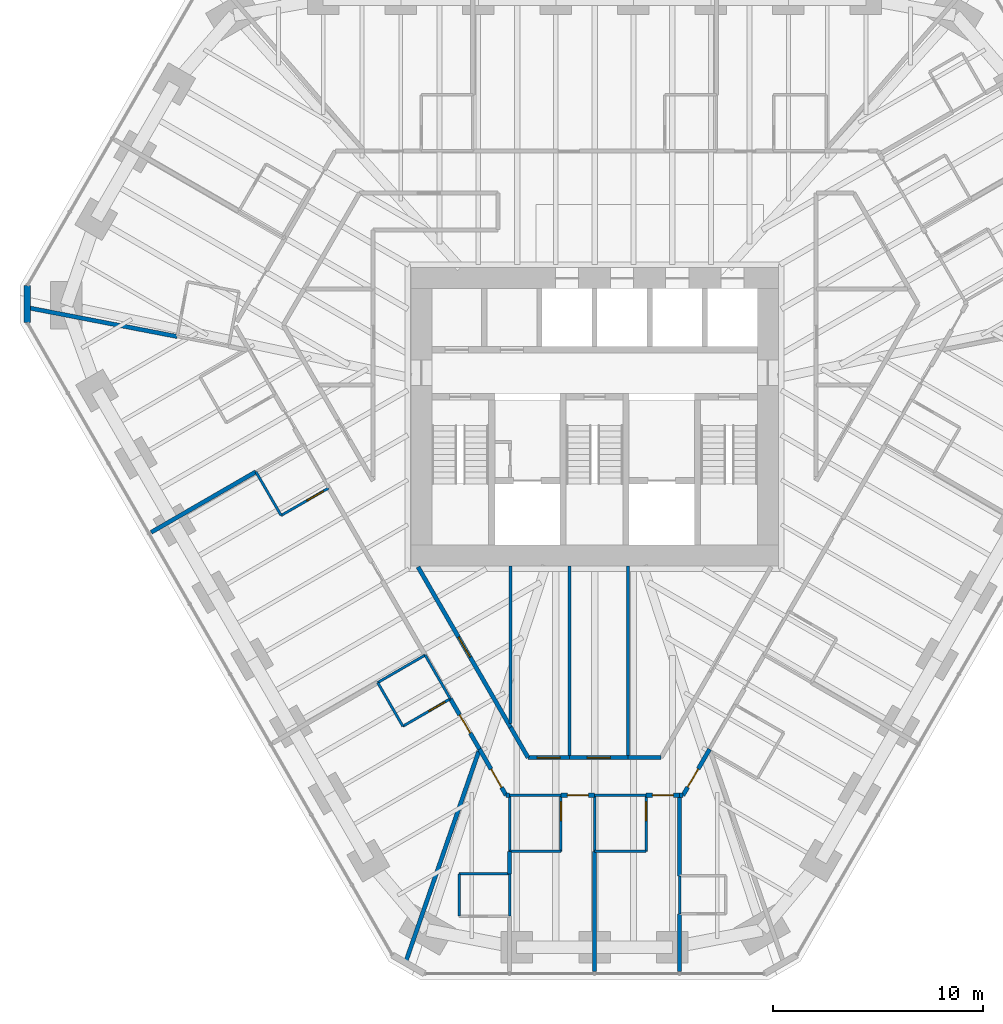
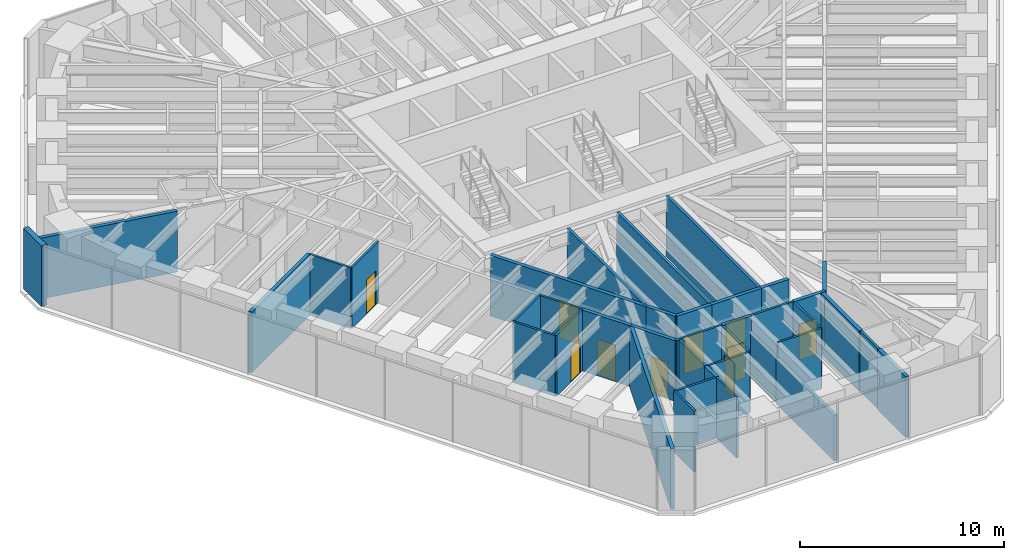
# One storey, part 11 of 17: 41 walls, 12 doors, 12 openings.
"""IFC4 building model written with IfcOpenShell, lengths in metres."""

from ifc_helpers import new_model, si_unit, direction, frame, frame_2d, origin, place, context, subcontext, project, spatial, rectangle, extrude, material, layer, layer_set, type_object, element, fill, save


model = new_model("IFC4")

# Units and contexts
model_context = context("Model", 3, precision=1e-05, world=origin(), true_north=direction((0.0, 1.0)))
body_context = subcontext(model_context, "Body", "Model", "MODEL_VIEW")
ifc_project = project(units=[si_unit("LENGTHUNIT", "METRE"), si_unit("AREAUNIT", "SQUARE_METRE"), si_unit("VOLUMEUNIT", "CUBIC_METRE"), si_unit("PLANEANGLEUNIT", "RADIAN"), si_unit("MASSUNIT", "GRAM", prefix="KILO")], contexts=[model_context])

# Site, building, storey
site_placement = place(None, origin())
site = spatial("IfcSite", under=ifc_project, at=site_placement, CompositionType="ELEMENT")
building_placement = place(site_placement, origin())
building = spatial("IfcBuilding", under=site, at=building_placement, Name="Sandreach Pilgrim Tower", CompositionType="ELEMENT")
storey_placement = place(building_placement, frame((0.0, 0.0, 217.39990234375)))
storey = spatial("IfcBuildingStorey", under=building, at=storey_placement, Name="L54", CompositionType="ELEMENT", Elevation=217.39990234375)

# Walls
ifc_material_1 = material(Name="Gypsum board on steel studs", Category="steel")
ifc_layer_1 = layer(ifc_material_1, 0.14990234375)
ifc_layer_set_1 = layer_set([ifc_layer_1], Name="Back of house wall 150")
wall_type_1 = type_object("IfcWallType", Name="Back of house wall 150", PredefinedType="PARTITIONING", material=ifc_layer_set_1)
wall_1_placement = place(storey_placement, frame((-4.0, -7.10009765625, 0.0), z_axis=(0.0, 0.0, 1.0), x_axis=(0.0, -1.0, 0.0)))
element("IfcWall", 1, at=wall_1_placement, inside=storey, type_object=wall_type_1, Name="Back of house wall L54-066", PredefinedType="PARTITIONING", context=body_context, shape_type="SweptSolid", body=[
    extrude(rectangle(XDim=7.514892578125, YDim=0.14990234375, at=frame_2d((3.75732421875, 0.0))), origin(), (0.0, 0.0, 1.0), 3.64013671875),
])
for number, where, z_axis, x_axis, name in (
    (2, (-1.199951171875, -7.10009765625, 0.0), (0.0, 0.0, 1.0), (0.0, -1.0, 0.0), "Back of house wall L54-071"),
    (3, (1.60009765625, -7.10009765625, 0.0), (0.0, 0.0, 1.0), (0.0, -1.0, 0.0), "Back of house wall L54-077"),
):
    element("IfcWall", number, at=place(storey_placement, frame(where, z_axis=z_axis, x_axis=x_axis)), inside=storey, type_object=wall_type_1, Name=name, PredefinedType="PARTITIONING", context=body_context, shape_type="SweptSolid", body=[
        extrude(rectangle(XDim=9.1298828125, YDim=0.14990234375, at=frame_2d((4.56494140625, 0.0))), origin(), (0.0, 0.0, 1.0), 3.64013671875),
    ])
ifc_material_2 = material(Name="Moisture-resistant gypsum board on steel studs", Category="steel")
ifc_layer_2 = layer(ifc_material_2, 0.1201171875)
ifc_layer_set_2 = layer_set([ifc_layer_2], Name="Bathroom partition 120")
wall_type_2 = type_object("IfcWallType", Name="Bathroom partition 120", PredefinedType="PARTITIONING", material=ifc_layer_set_2)
wall_2_placement = place(storey_placement, frame((-16.1298828125, -2.6201171875, 0.0), z_axis=(0.0, 0.0, 1.0), x_axis=(0.499737123639, -0.866177122335, 0.0)))
element("IfcWall", 4, at=wall_2_placement, inside=storey, type_object=wall_type_2, Name="Bathroom partition L54-015", PredefinedType="PARTITIONING", context=body_context, shape_type="SweptSolid", body=[
    extrude(rectangle(XDim=2.401123046875, YDim=0.1201171875, at=frame_2d((1.20068359375, 0.0))), origin(), (0.0, 0.0, 1.0), 3.64013671875),
])

# Wall, opening, door
wall_3_placement = place(storey_placement, frame((-14.929931640625, -4.699951171875, 0.0), z_axis=(0.0, 0.0, 1.0), x_axis=(0.866114241029, 0.499846097802, 0.0)))
wall_3 = element("IfcWall", 5, at=wall_3_placement, inside=storey, type_object=wall_type_2, Name="Bathroom partition L54-020", PredefinedType="PARTITIONING", context=body_context, shape_type="SweptSolid", body=[
    extrude(rectangle(XDim=2.620849609375, YDim=0.1201171875, at=frame_2d((1.310546875, 0.0))), origin(), (0.0, 0.0, 1.0), 3.64013671875),
])
opening_1_placement = place(wall_3_placement, frame((1.4208984375, 0.0, 0.0)))
opening_1 = element("IfcOpeningElement", 6, at=opening_1_placement, cuts=wall_3, Name="Opening D09-16B", PredefinedType="OPENING", context=body_context, shape_type="SweptSolid", body=[
    extrude(rectangle(XDim=0.89990234375, YDim=2.030029296875, at=frame_2d((0.449951171875, 1.01513671875))), frame((0.0, 0.06005859375, 0.0), z_axis=(0.0, -1.0, 0.0), x_axis=(1.0, 0.0, 0.0)), (0.0, 0.0, 1.0), 0.1201171875),
])
ifc_material_3 = material(Name="Timber door, steel frame", Category="steel")
door_type_1 = type_object("IfcDoorType", Name="Bathroom door", OperationType="SINGLE_SWING_LEFT", PredefinedType="DOOR", material=ifc_material_3)
door_1_placement = place(opening_1_placement, origin())
door_1 = element("IfcDoor", 7, at=door_1_placement, inside=storey, type_object=door_type_1, Name="Door 5416B", OperationType="SINGLE_SWING_RIGHT", OverallHeight=2.030029296875, OverallWidth=0.89990234375, PredefinedType="DOOR", context=body_context, shape_type="SweptSolid", body=[
    extrude(rectangle(XDim=0.89990234375, YDim=2.030029296875, at=frame_2d((0.449951171875, 1.01513671875))), frame((0.0, 0.02490234375, 0.0), z_axis=(0.0, -1.0, 0.0), x_axis=(1.0, 0.0, 0.0)), (0.0, 0.0, 1.0), 0.050048828125),
])
fill(opening_1, door_1)

# Walls
wall_4_placement = place(storey_placement, frame((-10.330078125, -12.659912109375, 0.0), z_axis=(0.0, 0.0, 1.0), x_axis=(0.499693115345, -0.866202511239, 0.0)))
element("IfcWall", 8, at=wall_4_placement, inside=storey, type_object=wall_type_2, Name="Bathroom partition L54-040", PredefinedType="PARTITIONING", context=body_context, shape_type="SweptSolid", body=[
    extrude(rectangle(XDim=2.4013671875, YDim=0.1201171875, at=frame_2d((1.20068359375, 0.0))), origin(), (0.0, 0.0, 1.0), 3.64013671875),
])
wall_5_placement = place(storey_placement, frame((-10.330078125, -12.659912109375, 0.0), z_axis=(0.0, 0.0, 1.0), x_axis=(0.865195830568, 0.501434118073, 0.0)))
element("IfcWall", 9, at=wall_5_placement, inside=storey, type_object=wall_type_2, Name="Bathroom partition L54-041", PredefinedType="PARTITIONING", context=body_context, shape_type="SweptSolid", body=[
    extrude(rectangle(XDim=2.612060546875, YDim=0.1201171875, at=frame_2d((1.30615234375, 0.0))), origin(), (0.0, 0.0, 1.0), 3.64013671875),
])

# Wall, opening, door
wall_6_placement = place(storey_placement, frame((-9.1298828125, -14.739990234375, 0.0), z_axis=(0.0, 0.0, 1.0), x_axis=(0.865131772832, 0.501544629755, 0.0)))
wall_6 = element("IfcWall", 10, at=wall_6_placement, inside=storey, type_object=wall_type_2, Name="Bathroom partition L54-042", PredefinedType="PARTITIONING", context=body_context, shape_type="SweptSolid", body=[
    extrude(rectangle(XDim=2.612060546875, YDim=0.1201171875, at=frame_2d((1.30615234375, 0.0))), origin(), (0.0, 0.0, 1.0), 3.64013671875),
])
opening_2_placement = place(wall_6_placement, frame((1.412109375, 0.0, 0.0)))
opening_2 = element("IfcOpeningElement", 11, at=opening_2_placement, cuts=wall_6, Name="Opening D09-15B", PredefinedType="OPENING", context=body_context, shape_type="SweptSolid", body=[
    extrude(rectangle(XDim=0.89990234375, YDim=2.030029296875, at=frame_2d((0.449951171875, 1.01513671875))), frame((0.0, 0.06005859375, 0.0), z_axis=(0.0, -1.0, 0.0), x_axis=(1.0, 0.0, 0.0)), (0.0, 0.0, 1.0), 0.1201171875),
])
door_2_placement = place(opening_2_placement, origin())
door_2 = element("IfcDoor", 12, at=door_2_placement, inside=storey, type_object=door_type_1, Name="Door 5415B", OperationType="SINGLE_SWING_RIGHT", OverallHeight=2.030029296875, OverallWidth=0.89990234375, PredefinedType="DOOR", context=body_context, shape_type="SweptSolid", body=[
    extrude(rectangle(XDim=0.89990234375, YDim=2.030029296875, at=frame_2d((0.449951171875, 1.01513671875))), frame((0.0, 0.02490234375, 0.0), z_axis=(0.0, -1.0, 0.0), x_axis=(1.0, 0.0, 0.0)), (0.0, 0.0, 1.0), 0.050048828125),
])
fill(opening_2, door_2)

# Walls
wall_7_placement = place(storey_placement, frame((-8.070068359375, -11.35009765625, 0.0), z_axis=(0.0, 0.0, 1.0), x_axis=(0.499737123639, -0.866177122335, 0.0)))
element("IfcWall", 13, at=wall_7_placement, inside=storey, type_object=wall_type_2, Name="Bathroom partition L54-046", PredefinedType="PARTITIONING", context=body_context, shape_type="SweptSolid", body=[
    extrude(rectangle(XDim=2.401123046875, YDim=0.1201171875, at=frame_2d((1.20068359375, 0.0))), origin(), (0.0, 0.0, 1.0), 3.64013671875),
])
for number, where, z_axis, x_axis, name in (
    (14, (-6.449951171875, -21.77001953125, 0.0), (0.0, 0.0, 1.0), (0.0, -1.0, 0.0), "Bathroom partition L54-049"),
    (15, (-4.050048828125, -23.780029296875, 0.0), (0.0, 0.0, 1.0), (0.0, 1.0, 0.0), "Bathroom partition L54-059"),
):
    element("IfcWall", number, at=place(storey_placement, frame(where, z_axis=z_axis, x_axis=x_axis)), inside=storey, type_object=wall_type_2, Name=name, PredefinedType="PARTITIONING", context=body_context, shape_type="SweptSolid", body=[
        extrude(rectangle(XDim=2.010009765625, YDim=0.1201171875, at=frame_2d((1.0048828125, 0.0))), origin(), (0.0, 0.0, 1.0), 3.64013671875),
    ])
wall_8_placement = place(storey_placement, frame((-4.050048828125, -21.77001953125, 0.0), z_axis=(0.0, 0.0, 1.0), x_axis=(-1.0, 0.0, 0.0)))
element("IfcWall", 16, at=wall_8_placement, inside=storey, type_object=wall_type_2, Name="Bathroom partition L54-060", PredefinedType="PARTITIONING", context=body_context, shape_type="SweptSolid", body=[
    extrude(rectangle(XDim=2.39990234375, YDim=0.1201171875, at=frame_2d((1.199951171875, 0.0))), origin(), (0.0, 0.0, 1.0), 3.64013671875),
])
wall_9_placement = place(storey_placement, frame((-4.050048828125, -20.699951171875, 0.0), z_axis=(0.0, 0.0, 1.0), x_axis=(0.0, 1.0, 0.0)))
element("IfcWall", 17, at=wall_9_placement, inside=storey, type_object=wall_type_2, Name="Bathroom partition L54-062", PredefinedType="PARTITIONING", context=body_context, shape_type="SweptSolid", body=[
    extrude(rectangle(XDim=2.669921875, YDim=0.1201171875, at=frame_2d((1.3349609375, 0.0))), origin(), (0.0, 0.0, 1.0), 3.64013671875),
])
for number, where, z_axis, x_axis, name in (
    (18, (-4.050048828125, -20.699951171875, 0.0), (0.0, 0.0, 1.0), (1.0, 0.0, 0.0), "Bathroom partition L54-063"),
    (19, (-4.050048828125, -18.030029296875, 0.0), (0.0, 0.0, 1.0), (1.0, 0.0, 0.0), "Bathroom partition L54-064"),
):
    element("IfcWall", number, at=place(storey_placement, frame(where, z_axis=z_axis, x_axis=x_axis)), inside=storey, type_object=wall_type_2, Name=name, PredefinedType="PARTITIONING", context=body_context, shape_type="SweptSolid", body=[
        extrude(rectangle(XDim=2.449951171875, YDim=0.1201171875, at=frame_2d((1.22509765625, 0.0))), origin(), (0.0, 0.0, 1.0), 3.64013671875),
    ])

# Wall, opening, door
wall_10_placement = place(storey_placement, frame((-1.60009765625, -20.699951171875, 0.0), z_axis=(0.0, 0.0, 1.0), x_axis=(0.0, 1.0, 0.0)))
wall_10 = element("IfcWall", 20, at=wall_10_placement, inside=storey, type_object=wall_type_2, Name="Bathroom partition L54-068", PredefinedType="PARTITIONING", context=body_context, shape_type="SweptSolid", body=[
    extrude(rectangle(XDim=2.669921875, YDim=0.1201171875, at=frame_2d((1.3349609375, 0.0))), origin(), (0.0, 0.0, 1.0), 3.64013671875),
])
opening_3_placement = place(wall_10_placement, frame((1.469970703125, 0.0, 0.0)))
opening_3 = element("IfcOpeningElement", 21, at=opening_3_placement, cuts=wall_10, Name="Opening D09-13B", PredefinedType="OPENING", context=body_context, shape_type="SweptSolid", body=[
    extrude(rectangle(XDim=0.89990234375, YDim=2.030029296875, at=frame_2d((0.449951171875, 1.01513671875))), frame((0.0, 0.06005859375, 0.0), z_axis=(0.0, -1.0, 0.0), x_axis=(1.0, 0.0, 0.0)), (0.0, 0.0, 1.0), 0.1201171875),
])
door_3_placement = place(opening_3_placement, origin())
door_3 = element("IfcDoor", 22, at=door_3_placement, inside=storey, type_object=door_type_1, Name="Door 5413B", OperationType="SINGLE_SWING_RIGHT", OverallHeight=2.030029296875, OverallWidth=0.89990234375, PredefinedType="DOOR", context=body_context, shape_type="SweptSolid", body=[
    extrude(rectangle(XDim=0.89990234375, YDim=2.030029296875, at=frame_2d((0.449951171875, 1.01513671875))), frame((0.0, 0.02490234375, 0.0), z_axis=(0.0, -1.0, 0.0), x_axis=(1.0, 0.0, 0.0)), (0.0, 0.0, 1.0), 0.050048828125),
])
fill(opening_3, door_3)

# Walls
wall_11_placement = place(storey_placement, frame((0.0, -20.699951171875, 0.0), z_axis=(0.0, 0.0, 1.0), x_axis=(0.0, 1.0, 0.0)))
element("IfcWall", 23, at=wall_11_placement, inside=storey, type_object=wall_type_2, Name="Bathroom partition L54-073", PredefinedType="PARTITIONING", context=body_context, shape_type="SweptSolid", body=[
    extrude(rectangle(XDim=2.669921875, YDim=0.1201171875, at=frame_2d((1.3349609375, 0.0))), origin(), (0.0, 0.0, 1.0), 2.7255859375),
])
for number, where, z_axis, x_axis, name in (
    (24, (0.0, -20.699951171875, 0.0), (0.0, 0.0, 1.0), (1.0, 0.0, 0.0), "Bathroom partition L54-074"),
    (25, (0.0, -18.030029296875, 0.0), (0.0, 0.0, 1.0), (1.0, 0.0, 0.0), "Bathroom partition L54-075"),
):
    element("IfcWall", number, at=place(storey_placement, frame(where, z_axis=z_axis, x_axis=x_axis)), inside=storey, type_object=wall_type_2, Name=name, PredefinedType="PARTITIONING", context=body_context, shape_type="SweptSolid", body=[
        extrude(rectangle(XDim=2.449951171875, YDim=0.1201171875, at=frame_2d((1.22509765625, 0.0))), origin(), (0.0, 0.0, 1.0), 3.64013671875),
    ])

# Wall, opening, door
wall_12_placement = place(storey_placement, frame((2.449951171875, -20.699951171875, 0.0), z_axis=(0.0, 0.0, 1.0), x_axis=(0.0, 1.0, 0.0)))
wall_12 = element("IfcWall", 26, at=wall_12_placement, inside=storey, type_object=wall_type_2, Name="Bathroom partition L54-078", PredefinedType="PARTITIONING", context=body_context, shape_type="SweptSolid", body=[
    extrude(rectangle(XDim=2.669921875, YDim=0.1201171875, at=frame_2d((1.3349609375, 0.0))), origin(), (0.0, 0.0, 1.0), 3.64013671875),
])
opening_4_placement = place(wall_12_placement, frame((1.469970703125, 0.0, 0.0)))
opening_4 = element("IfcOpeningElement", 27, at=opening_4_placement, cuts=wall_12, Name="Opening D09-12B", PredefinedType="OPENING", context=body_context, shape_type="SweptSolid", body=[
    extrude(rectangle(XDim=0.89990234375, YDim=2.030029296875, at=frame_2d((0.449951171875, 1.01513671875))), frame((0.0, 0.06005859375, 0.0), z_axis=(0.0, -1.0, 0.0), x_axis=(1.0, 0.0, 0.0)), (0.0, 0.0, 1.0), 0.1201171875),
])
door_4_placement = place(opening_4_placement, origin())
door_4 = element("IfcDoor", 28, at=door_4_placement, inside=storey, type_object=door_type_1, Name="Door 5412B", OperationType="SINGLE_SWING_RIGHT", OverallHeight=2.030029296875, OverallWidth=0.89990234375, PredefinedType="DOOR", context=body_context, shape_type="SweptSolid", body=[
    extrude(rectangle(XDim=0.89990234375, YDim=2.030029296875, at=frame_2d((0.449951171875, 1.01513671875))), frame((0.0, 0.02490234375, 0.0), z_axis=(0.0, -1.0, 0.0), x_axis=(1.0, 0.0, 0.0)), (0.0, 0.0, 1.0), 0.050048828125),
])
fill(opening_4, door_4)

# Wall
wall_13_placement = place(storey_placement, frame((4.050048828125, -23.679931640625, 0.0), z_axis=(0.0, 0.0, 1.0), x_axis=(0.0, 1.0, 0.0)))
element("IfcWall", 29, at=wall_13_placement, inside=storey, type_object=wall_type_2, Name="Bathroom partition L54-084", PredefinedType="PARTITIONING", context=body_context, shape_type="SweptSolid", body=[
    extrude(rectangle(XDim=1.809814453125, YDim=0.1201171875, at=frame_2d((0.90478515625, 0.0))), origin(), (0.0, 0.0, 1.0), 3.64013671875),
])

# Wall, opening, door
ifc_material_4 = material(Name="Gypsum board on steel studs, two layers each side", Category="steel")
ifc_layer_3 = layer(ifc_material_4, 0.199951171875)
ifc_layer_set_3 = layer_set([ifc_layer_3], Name="Corridor wall 200")
wall_type_3 = type_object("IfcWallType", Name="Corridor wall 200", PredefinedType="PARTITIONING", material=ifc_layer_set_3)
wall_14_placement = place(storey_placement, frame((-6.8701171875, -13.429931640625, 0.0), z_axis=(0.0, 0.0, 1.0), x_axis=(0.501192399481, -0.865335876237, 0.0)))
wall_14 = element("IfcWall", 30, at=wall_14_placement, inside=storey, type_object=wall_type_3, Name="Corridor wall L54-047", PredefinedType="PARTITIONING", context=body_context, shape_type="SweptSolid", body=[
    extrude(rectangle(XDim=2.773681640625, YDim=0.199951171875, at=frame_2d((1.38671875, 0.0))), origin(), (0.0, 0.0, 1.0), 3.64013671875),
])
opening_5_placement = place(wall_14_placement, frame((0.88671875, 0.0, 0.0)))
opening_5 = element("IfcOpeningElement", 31, at=opening_5_placement, cuts=wall_14, Name="Opening D10-15", PredefinedType="OPENING", context=body_context, shape_type="SweptSolid", body=[
    extrude(rectangle(XDim=1.0, YDim=2.1298828125, at=frame_2d((0.5, 1.06494140625))), frame((0.0, 0.10009765625, 0.0), z_axis=(0.0, -1.0, 0.0), x_axis=(1.0, 0.0, 0.0)), (0.0, 0.0, 1.0), 0.199951171875),
])
ifc_material_5 = material(Name="Steel door and frame", Category="steel")
door_type_2 = type_object("IfcDoorType", Name="Guest room entry door", OperationType="SINGLE_SWING_LEFT", PredefinedType="DOOR", material=ifc_material_5)
door_5_placement = place(opening_5_placement, origin())
door_5 = element("IfcDoor", 32, at=door_5_placement, inside=storey, type_object=door_type_2, Name="Door 5415", OperationType="SINGLE_SWING_LEFT", OverallHeight=2.1298828125, OverallWidth=1.0, PredefinedType="DOOR", context=body_context, shape_type="SweptSolid", body=[
    extrude(rectangle(XDim=1.0, YDim=2.1298828125, at=frame_2d((0.5, 1.06494140625))), frame((0.0, 0.02490234375, 0.0), z_axis=(0.0, -1.0, 0.0), x_axis=(1.0, 0.0, 0.0)), (0.0, 0.0, 1.0), 0.050048828125),
])
fill(opening_5, door_5)

wall_15_placement = place(storey_placement, frame((-5.47998046875, -15.830078125, 0.0), z_axis=(0.0, 0.0, 1.0), x_axis=(0.499963722229, -0.866046347752, 0.0)))
wall_15 = element("IfcWall", 33, at=wall_15_placement, inside=storey, type_object=wall_type_3, Name="Corridor wall L54-054", PredefinedType="PARTITIONING", context=body_context, shape_type="SweptSolid", body=[
    extrude(rectangle(XDim=2.540283203125, YDim=0.199951171875, at=frame_2d((1.27001953125, 0.0))), origin(), (0.0, 0.0, 1.0), 3.64013671875),
])
opening_6_placement = place(wall_15_placement, frame((1.10009765625, 0.0, 0.0)))
opening_6 = element("IfcOpeningElement", 34, at=opening_6_placement, cuts=wall_15, Name="Opening D10-14", PredefinedType="OPENING", context=body_context, shape_type="SweptSolid", body=[
    extrude(rectangle(XDim=1.0, YDim=2.1298828125, at=frame_2d((0.5, 1.06494140625))), frame((0.0, 0.10009765625, 0.0), z_axis=(0.0, -1.0, 0.0), x_axis=(1.0, 0.0, 0.0)), (0.0, 0.0, 1.0), 0.199951171875),
])
door_6_placement = place(opening_6_placement, origin())
door_6 = element("IfcDoor", 35, at=door_6_placement, inside=storey, type_object=door_type_2, Name="Door 5414", OperationType="SINGLE_SWING_RIGHT", OverallHeight=2.1298828125, OverallWidth=1.0, PredefinedType="DOOR", context=body_context, shape_type="SweptSolid", body=[
    extrude(rectangle(XDim=1.0, YDim=2.1298828125, at=frame_2d((0.5, 1.06494140625))), frame((0.0, 0.02490234375, 0.0), z_axis=(0.0, -1.0, 0.0), x_axis=(1.0, 0.0, 0.0)), (0.0, 0.0, 1.0), 0.050048828125),
])
fill(opening_6, door_6)

# Wall
wall_16_placement = place(storey_placement, frame((-4.2099609375, -18.030029296875, 0.0), z_axis=(0.0, 0.0, 1.0), x_axis=(1.0, 0.0, 0.0)))
element("IfcWall", 36, at=wall_16_placement, inside=storey, type_object=wall_type_3, Name="Corridor wall L54-057", PredefinedType="PARTITIONING", context=body_context, shape_type="SweptSolid", body=[
    extrude(rectangle(XDim=0.159912109375, YDim=0.199951171875, at=frame_2d((0.080078125, 0.0))), origin(), (0.0, 0.0, 1.0), 3.64013671875),
])

# Wall, opening, door
wall_17_placement = place(storey_placement, frame((-4.0, -14.7900390625, 0.0), z_axis=(0.0, 0.0, 1.0), x_axis=(-0.499916512745, 0.866073599808, 0.0)))
wall_17 = element("IfcWall", 37, at=wall_17_placement, inside=storey, type_object=wall_type_3, Name="Corridor wall L54-065", PredefinedType="PARTITIONING", context=body_context, shape_type="SweptSolid", body=[
    extrude(rectangle(XDim=8.8212890625, YDim=0.199951171875, at=frame_2d((4.41064453125, 0.0))), origin(), (0.0, 0.0, 1.0), 3.64013671875),
])
opening_7_placement = place(wall_17_placement, frame((3.860595703125, 0.0, 0.0)))
opening_7 = element("IfcOpeningElement", 38, at=opening_7_placement, cuts=wall_17, Name="Opening D11H-S1", PredefinedType="OPENING", context=body_context, shape_type="SweptSolid", body=[
    extrude(rectangle(XDim=1.10009765625, YDim=2.199951171875, at=frame_2d((0.550048828125, 1.10009765625))), frame((0.0, 0.10009765625, 0.0), z_axis=(0.0, -1.0, 0.0), x_axis=(1.0, 0.0, 0.0)), (0.0, 0.0, 1.0), 0.199951171875),
])
ifc_material_6 = material(Name="Steel door and frame", Category="steel")
door_type_3 = type_object("IfcDoorType", Name="Back of house door", OperationType="SINGLE_SWING_LEFT", PredefinedType="DOOR", material=ifc_material_6)
door_7_placement = place(opening_7_placement, origin())
door_7 = element("IfcDoor", 39, at=door_7_placement, inside=storey, type_object=door_type_3, Name="Door 54S1", OperationType="SINGLE_SWING_LEFT", OverallHeight=2.199951171875, OverallWidth=1.10009765625, PredefinedType="DOOR", context=body_context, shape_type="SweptSolid", body=[
    extrude(rectangle(XDim=1.10009765625, YDim=2.199951171875, at=frame_2d((0.550048828125, 1.10009765625))), frame((0.0, 0.02490234375, 0.0), z_axis=(0.0, -1.0, 0.0), x_axis=(1.0, 0.0, 0.0)), (0.0, 0.0, 1.0), 0.050048828125),
])
fill(opening_7, door_7)

# Wall
wall_18_placement = place(storey_placement, frame((-3.169921875, -16.22998046875, 0.0), z_axis=(0.0, 0.0, 1.0), x_axis=(-0.499425709803, 0.866356716594, 0.0)))
element("IfcWall", 40, at=wall_18_placement, inside=storey, type_object=wall_type_3, Name="Corridor wall L54-067", PredefinedType="PARTITIONING", context=body_context, shape_type="SweptSolid", body=[
    extrude(rectangle(XDim=1.662109375, YDim=0.199951171875, at=frame_2d((0.8310546875, 0.0))), origin(), (0.0, 0.0, 1.0), 3.64013671875),
])

# Wall, opening, door
wall_19_placement = place(storey_placement, frame((-1.60009765625, -18.030029296875, 0.0), z_axis=(0.0, 0.0, 1.0), x_axis=(1.0, 0.0, 0.0)))
wall_19 = element("IfcWall", 41, at=wall_19_placement, inside=storey, type_object=wall_type_3, Name="Corridor wall L54-069", PredefinedType="PARTITIONING", context=body_context, shape_type="SweptSolid", body=[
    extrude(rectangle(XDim=1.60009765625, YDim=0.199951171875, at=frame_2d((0.800048828125, 0.0))), origin(), (0.0, 0.0, 1.0), 3.64013671875),
])
opening_8_placement = place(wall_19_placement, frame((0.300048828125, 0.0, 0.0)))
opening_8 = element("IfcOpeningElement", 42, at=opening_8_placement, cuts=wall_19, Name="Opening D10-13", PredefinedType="OPENING", context=body_context, shape_type="SweptSolid", body=[
    extrude(rectangle(XDim=1.0, YDim=2.1298828125, at=frame_2d((0.5, 1.06494140625))), frame((0.0, 0.10009765625, 0.0), z_axis=(0.0, -1.0, 0.0), x_axis=(1.0, 0.0, 0.0)), (0.0, 0.0, 1.0), 0.199951171875),
])
door_8_placement = place(opening_8_placement, origin())
door_8 = element("IfcDoor", 43, at=door_8_placement, inside=storey, type_object=door_type_2, Name="Door 5413", OperationType="SINGLE_SWING_LEFT", OverallHeight=2.1298828125, OverallWidth=1.0, PredefinedType="DOOR", context=body_context, shape_type="SweptSolid", body=[
    extrude(rectangle(XDim=1.0, YDim=2.1298828125, at=frame_2d((0.5, 1.06494140625))), frame((0.0, 0.02490234375, 0.0), z_axis=(0.0, -1.0, 0.0), x_axis=(1.0, 0.0, 0.0)), (0.0, 0.0, 1.0), 0.050048828125),
])
fill(opening_8, door_8)

wall_20_placement = place(storey_placement, frame((-1.199951171875, -16.22998046875, 0.0), z_axis=(0.0, 0.0, 1.0), x_axis=(-1.0, 0.0, 0.0)))
wall_20 = element("IfcWall", 44, at=wall_20_placement, inside=storey, type_object=wall_type_3, Name="Corridor wall L54-070", PredefinedType="PARTITIONING", context=body_context, shape_type="SweptSolid", body=[
    extrude(rectangle(XDim=1.969970703125, YDim=0.199951171875, at=frame_2d((0.98486328125, 0.0))), origin(), (0.0, 0.0, 1.0), 3.64013671875),
])
opening_9_placement = place(wall_20_placement, frame((0.43505859375, 0.0, 0.0)))
opening_9 = element("IfcOpeningElement", 45, at=opening_9_placement, cuts=wall_20, Name="Opening D11H-S2", PredefinedType="OPENING", context=body_context, shape_type="SweptSolid", body=[
    extrude(rectangle(XDim=1.10009765625, YDim=2.199951171875, at=frame_2d((0.550048828125, 1.10009765625))), frame((0.0, 0.10009765625, 0.0), z_axis=(0.0, -1.0, 0.0), x_axis=(1.0, 0.0, 0.0)), (0.0, 0.0, 1.0), 0.199951171875),
])
door_9_placement = place(opening_9_placement, origin())
door_9 = element("IfcDoor", 46, at=door_9_placement, inside=storey, type_object=door_type_3, Name="Door 54S2", OperationType="SINGLE_SWING_LEFT", OverallHeight=2.199951171875, OverallWidth=1.10009765625, PredefinedType="DOOR", context=body_context, shape_type="SweptSolid", body=[
    extrude(rectangle(XDim=1.10009765625, YDim=2.199951171875, at=frame_2d((0.550048828125, 1.10009765625))), frame((0.0, 0.02490234375, 0.0), z_axis=(0.0, -1.0, 0.0), x_axis=(1.0, 0.0, 0.0)), (0.0, 0.0, 1.0), 0.050048828125),
])
fill(opening_9, door_9)

wall_21_placement = place(storey_placement, frame((1.60009765625, -16.22998046875, 0.0), z_axis=(0.0, 0.0, 1.0), x_axis=(-1.0, 0.0, 0.0)))
wall_21 = element("IfcWall", 47, at=wall_21_placement, inside=storey, type_object=wall_type_3, Name="Corridor wall L54-076", PredefinedType="PARTITIONING", context=body_context, shape_type="SweptSolid", body=[
    extrude(rectangle(XDim=2.800048828125, YDim=0.199951171875, at=frame_2d((1.39990234375, 0.0))), origin(), (0.0, 0.0, 1.0), 3.64013671875),
])
opening_10_placement = place(wall_21_placement, frame((0.85009765625, 0.0, 0.0)))
opening_10 = element("IfcOpeningElement", 48, at=opening_10_placement, cuts=wall_21, Name="Opening D11H-S3", PredefinedType="OPENING", context=body_context, shape_type="SweptSolid", body=[
    extrude(rectangle(XDim=1.10009765625, YDim=2.199951171875, at=frame_2d((0.550048828125, 1.10009765625))), frame((0.0, 0.10009765625, 0.0), z_axis=(0.0, -1.0, 0.0), x_axis=(1.0, 0.0, 0.0)), (0.0, 0.0, 1.0), 0.199951171875),
])
door_10_placement = place(opening_10_placement, origin())
door_10 = element("IfcDoor", 49, at=door_10_placement, inside=storey, type_object=door_type_3, Name="Door 54S3", OperationType="SINGLE_SWING_LEFT", OverallHeight=2.199951171875, OverallWidth=1.10009765625, PredefinedType="DOOR", context=body_context, shape_type="SweptSolid", body=[
    extrude(rectangle(XDim=1.10009765625, YDim=2.199951171875, at=frame_2d((0.550048828125, 1.10009765625))), frame((0.0, 0.02490234375, 0.0), z_axis=(0.0, -1.0, 0.0), x_axis=(1.0, 0.0, 0.0)), (0.0, 0.0, 1.0), 0.050048828125),
])
fill(opening_10, door_10)

wall_22_placement = place(storey_placement, frame((2.449951171875, -18.030029296875, 0.0), z_axis=(0.0, 0.0, 1.0), x_axis=(1.0, 0.0, 0.0)))
wall_22 = element("IfcWall", 50, at=wall_22_placement, inside=storey, type_object=wall_type_3, Name="Corridor wall L54-079", PredefinedType="PARTITIONING", context=body_context, shape_type="SweptSolid", body=[
    extrude(rectangle(XDim=1.60009765625, YDim=0.199951171875, at=frame_2d((0.800048828125, 0.0))), origin(), (0.0, 0.0, 1.0), 3.64013671875),
])
opening_11_placement = place(wall_22_placement, frame((0.300048828125, 0.0, 0.0)))
opening_11 = element("IfcOpeningElement", 51, at=opening_11_placement, cuts=wall_22, Name="Opening D10-12", PredefinedType="OPENING", context=body_context, shape_type="SweptSolid", body=[
    extrude(rectangle(XDim=1.0, YDim=2.1298828125, at=frame_2d((0.5, 1.06494140625))), frame((0.0, 0.10009765625, 0.0), z_axis=(0.0, -1.0, 0.0), x_axis=(1.0, 0.0, 0.0)), (0.0, 0.0, 1.0), 0.199951171875),
])
door_11_placement = place(opening_11_placement, origin())
door_11 = element("IfcDoor", 52, at=door_11_placement, inside=storey, type_object=door_type_2, Name="Door 5412", OperationType="SINGLE_SWING_LEFT", OverallHeight=2.1298828125, OverallWidth=1.0, PredefinedType="DOOR", context=body_context, shape_type="SweptSolid", body=[
    extrude(rectangle(XDim=1.0, YDim=2.1298828125, at=frame_2d((0.5, 1.06494140625))), frame((0.0, 0.02490234375, 0.0), z_axis=(0.0, -1.0, 0.0), x_axis=(1.0, 0.0, 0.0)), (0.0, 0.0, 1.0), 0.050048828125),
])
fill(opening_11, door_11)

# Walls
wall_23_placement = place(storey_placement, frame((3.169921875, -16.22998046875, 0.0), z_axis=(0.0, 0.0, 1.0), x_axis=(-1.0, 0.0, 0.0)))
element("IfcWall", 53, at=wall_23_placement, inside=storey, type_object=wall_type_3, Name="Corridor wall L54-080", PredefinedType="PARTITIONING", context=body_context, shape_type="SweptSolid", body=[
    extrude(rectangle(XDim=1.56982421875, YDim=0.199951171875, at=frame_2d((0.784912109375, 0.0))), origin(), (0.0, 0.0, 1.0), 3.64013671875),
])
wall_24_placement = place(storey_placement, frame((4.050048828125, -18.030029296875, 0.0), z_axis=(0.0, 0.0, 1.0), x_axis=(1.0, 0.0, 0.0)))
element("IfcWall", 54, at=wall_24_placement, inside=storey, type_object=wall_type_3, Name="Corridor wall L54-087", PredefinedType="PARTITIONING", context=body_context, shape_type="SweptSolid", body=[
    extrude(rectangle(XDim=0.159912109375, YDim=0.199951171875, at=frame_2d((0.080078125, 0.0))), origin(), (0.0, 0.0, 1.0), 3.64013671875),
])

# Wall, opening, door
wall_25_placement = place(storey_placement, frame((4.2099609375, -18.030029296875, 0.0), z_axis=(0.0, 0.0, 1.0), x_axis=(0.499963722229, 0.866046347752, 0.0)))
wall_25 = element("IfcWall", 55, at=wall_25_placement, inside=storey, type_object=wall_type_3, Name="Corridor wall L54-088", PredefinedType="PARTITIONING", context=body_context, shape_type="SweptSolid", body=[
    extrude(rectangle(XDim=2.540283203125, YDim=0.199951171875, at=frame_2d((1.27001953125, 0.0))), origin(), (0.0, 0.0, 1.0), 3.64013671875),
])
opening_12_placement = place(wall_25_placement, frame((0.449951171875, 0.0, 0.0)))
opening_12 = element("IfcOpeningElement", 56, at=opening_12_placement, cuts=wall_25, Name="Opening D10-11", PredefinedType="OPENING", context=body_context, shape_type="SweptSolid", body=[
    extrude(rectangle(XDim=1.0, YDim=2.1298828125, at=frame_2d((0.5, 1.06494140625))), frame((0.0, 0.10009765625, 0.0), z_axis=(0.0, -1.0, 0.0), x_axis=(1.0, 0.0, 0.0)), (0.0, 0.0, 1.0), 0.199951171875),
])
door_12_placement = place(opening_12_placement, origin())
door_12 = element("IfcDoor", 57, at=door_12_placement, inside=storey, type_object=door_type_2, Name="Door 5411", OperationType="SINGLE_SWING_LEFT", OverallHeight=2.1298828125, OverallWidth=1.0, PredefinedType="DOOR", context=body_context, shape_type="SweptSolid", body=[
    extrude(rectangle(XDim=1.0, YDim=2.1298828125, at=frame_2d((0.5, 1.06494140625))), frame((0.0, 0.02490234375, 0.0), z_axis=(0.0, -1.0, 0.0), x_axis=(1.0, 0.0, 0.0)), (0.0, 0.0, 1.0), 0.050048828125),
])
fill(opening_12, door_12)

# Walls
ifc_material_7 = material(Name="Double steel stud acoustic wall, gypsum board", Category="steel")
ifc_layer_4 = layer(ifc_material_7, 0.199951171875)
ifc_layer_set_4 = layer_set([ifc_layer_4], Name="Party wall 200")
wall_type_4 = type_object("IfcWallType", Name="Party wall 200", PredefinedType="PARTITIONING", material=ifc_layer_set_4)
wall_26_placement = place(storey_placement, frame((-27.04052734375, 5.204345703125, 0.0), z_axis=(0.0, 0.0, 1.0), x_axis=(0.981883480928, -0.189485698355, 0.0)))
element("IfcWall", 58, at=wall_26_placement, inside=storey, type_object=wall_type_4, Name="Party wall L54-001", PredefinedType="PARTITIONING", context=body_context, shape_type="SweptSolid", body=[
    extrude(rectangle(XDim=7.291259765625, YDim=0.199951171875, at=frame_2d((3.6455078125, 0.0))), origin(), (0.0, 0.0, 1.0), 3.64013671875),
])
wall_27_placement = place(storey_placement, frame((-21.115966796875, -5.5, 0.0), z_axis=(0.0, 0.0, 1.0), x_axis=(0.865919350456, 0.50018364478, 0.0)))
element("IfcWall", 59, at=wall_27_placement, inside=storey, type_object=wall_type_4, Name="Party wall L54-002", PredefinedType="PARTITIONING", context=body_context, shape_type="SweptSolid", body=[
    extrude(rectangle(XDim=5.758056640625, YDim=0.199951171875, at=frame_2d((2.87890625, 0.0))), origin(), (0.0, 0.0, 1.0), 3.64013671875),
])
wall_28_placement = place(storey_placement, frame((-9.01025390625, -26.01171875, 0.0), z_axis=(0.0, 0.0, 1.0), x_axis=(0.327582991606, 0.944822408504, 0.0)))
element("IfcWall", 60, at=wall_28_placement, inside=storey, type_object=wall_type_4, Name="Party wall L54-043", PredefinedType="PARTITIONING", context=body_context, shape_type="SweptSolid", body=[
    extrude(rectangle(XDim=10.66650390625, YDim=0.199951171875, at=frame_2d((5.333251953125, 0.0))), origin(), (0.0, 0.0, 1.0), 3.64013671875),
])
wall_29_placement = place(storey_placement, frame((-4.050048828125, -21.77001953125, 0.0), z_axis=(0.0, 0.0, 1.0), x_axis=(0.0, 1.0, 0.0)))
element("IfcWall", 61, at=wall_29_placement, inside=storey, type_object=wall_type_4, Name="Party wall L54-061", PredefinedType="PARTITIONING", context=body_context, shape_type="SweptSolid", body=[
    extrude(rectangle(XDim=1.070068359375, YDim=0.199951171875, at=frame_2d((0.53515625, 0.0))), origin(), (0.0, 0.0, 1.0), 3.64013671875),
])
wall_30_placement = place(storey_placement, frame((0.0, -26.409912109375, 0.0), z_axis=(0.0, 0.0, 1.0), x_axis=(0.0, 1.0, 0.0)))
element("IfcWall", 62, at=wall_30_placement, inside=storey, type_object=wall_type_4, Name="Party wall L54-072", PredefinedType="PARTITIONING", context=body_context, shape_type="SweptSolid", body=[
    extrude(rectangle(XDim=5.7099609375, YDim=0.199951171875, at=frame_2d((2.85498046875, 0.0))), origin(), (0.0, 0.0, 1.0), 2.7255859375),
])
wall_31_placement = place(storey_placement, frame((4.050048828125, -26.409912109375, 0.0), z_axis=(0.0, 0.0, 1.0), x_axis=(0.0, 1.0, 0.0)))
element("IfcWall", 63, at=wall_31_placement, inside=storey, type_object=wall_type_4, Name="Party wall L54-083", PredefinedType="PARTITIONING", context=body_context, shape_type="SweptSolid", body=[
    extrude(rectangle(XDim=2.72998046875, YDim=0.199951171875, at=frame_2d((1.364990234375, 0.0))), origin(), (0.0, 0.0, 1.0), 3.64013671875),
])
wall_32_placement = place(storey_placement, frame((4.050048828125, -21.8701171875, 0.0), z_axis=(0.0, 0.0, 1.0), x_axis=(0.0, 1.0, 0.0)))
element("IfcWall", 64, at=wall_32_placement, inside=storey, type_object=wall_type_4, Name="Party wall L54-086", PredefinedType="PARTITIONING", context=body_context, shape_type="SweptSolid", body=[
    extrude(rectangle(XDim=3.830078125, YDim=0.199951171875, at=frame_2d((1.9150390625, 0.0))), origin(), (0.0, 0.0, 1.0), 3.64013671875),
])
ifc_material_8 = material(Name="Terracotta rainscreen on concrete", Category="masonry")
ifc_layer_5 = layer(ifc_material_8, 0.300048828125)
ifc_layer_set_5 = layer_set([ifc_layer_5], Name="Terracotta chamfer pier")
wall_type_5 = type_object("IfcWallType", Name="Terracotta chamfer pier", PredefinedType="SOLIDWALL", material=ifc_layer_set_5)
wall_33_placement = place(storey_placement, frame((-27.02001953125, 4.47998046875, 0.0), z_axis=(0.0, 0.0, 1.0), x_axis=(0.0, 1.0, 0.0)))
element("IfcWall", 65, at=wall_33_placement, inside=storey, type_object=wall_type_5, Name="Chamfer pier L54 SW", PredefinedType="SOLIDWALL", context=body_context, shape_type="SweptSolid", body=[
    extrude(rectangle(XDim=1.77001953125, YDim=0.300048828125, at=frame_2d((0.885009765625, 0.0))), origin(), (0.0, 0.0, 1.0), 3.64013671875),
])

save(model, "model.ifc")
